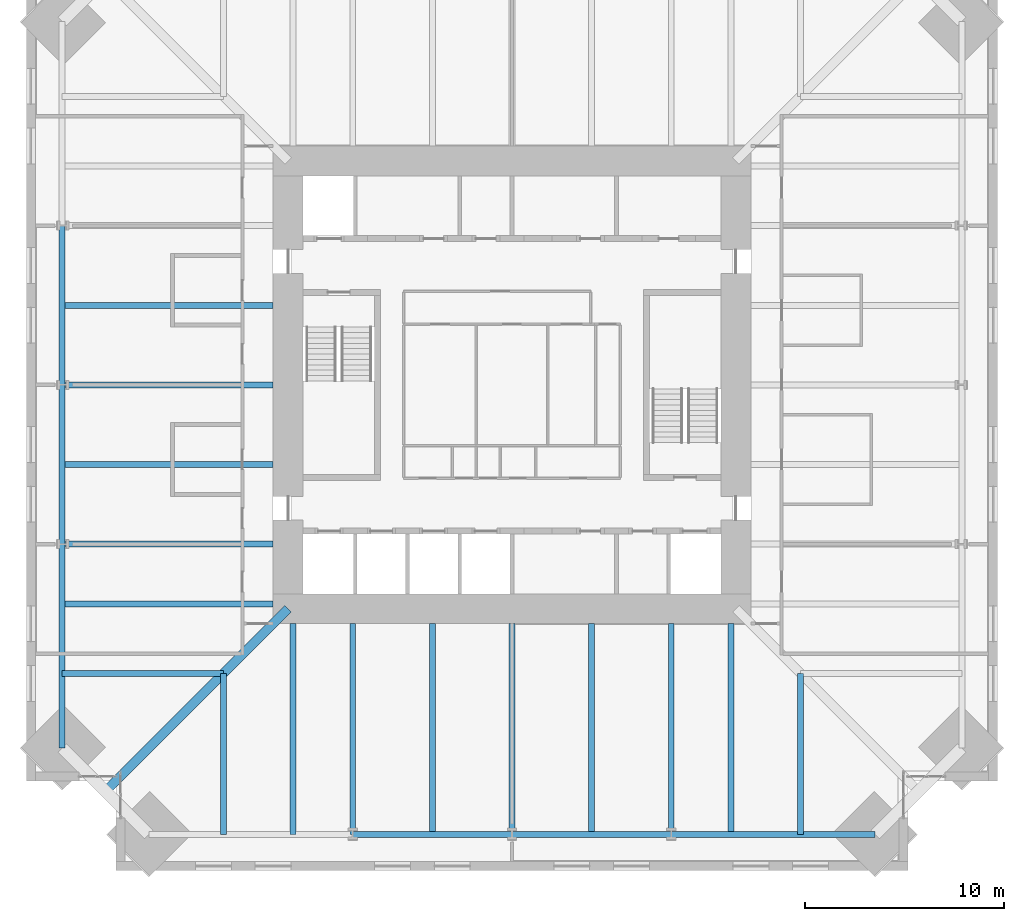
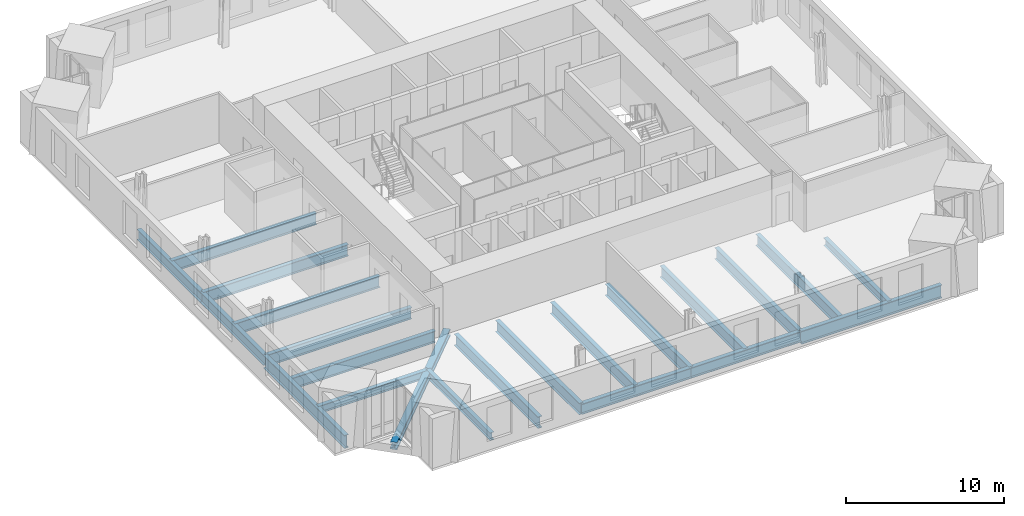
# One storey, part 3 of 15: 22 beams.
"""IFC4 building model written with IfcOpenShell, lengths in metres."""

from ifc_helpers import new_model, si_unit, direction, frame, origin, origin_2d, place, context, subcontext, project, spatial, i_section, extrude, material, material_profile, profile_set, type_object, element, save


model = new_model("IFC4")

# Units and contexts
model_context = context("Model", 3, precision=1e-05, world=origin(), true_north=direction((0.0, 1.0)))
body_context = subcontext(model_context, "Body", "Model", "MODEL_VIEW")
ifc_project = project(units=[si_unit("LENGTHUNIT", "METRE"), si_unit("AREAUNIT", "SQUARE_METRE"), si_unit("VOLUMEUNIT", "CUBIC_METRE"), si_unit("PLANEANGLEUNIT", "RADIAN"), si_unit("MASSUNIT", "GRAM", prefix="KILO")], contexts=[model_context])

# Site, building, storey
site_placement = place(None, origin())
site = spatial("IfcSite", under=ifc_project, at=site_placement, CompositionType="ELEMENT")
building_placement = place(site_placement, origin())
building = spatial("IfcBuilding", under=site, at=building_placement, Name="Peilmerk Tower", CompositionType="ELEMENT")
storey_placement = place(building_placement, frame((0.0, 0.0, 205.800048828125)))
storey = spatial("IfcBuildingStorey", under=building, at=storey_placement, Name="L44", CompositionType="ELEMENT", Elevation=205.800048828125)

# Beams
ifc_material_1 = material(Name="Steel S355", Category="steel")
ifc_material_profile_1 = material_profile(ifc_material_1, i_section(OverallWidth=0.302001953125, OverallDepth=1.008056640625, WebThickness=0.02099609375, FlangeThickness=0.0400390625, at=origin_2d()), Name="HEM 1000")
ifc_profile_set_1 = profile_set([ifc_material_profile_1], Name="Steel S355")
beam_type_1 = type_object("IfcBeamType", Name="B1 HEM 1000 edge beam", PredefinedType="SPANDREL", material=ifc_profile_set_1)
for number, where, z_axis, x_axis, name in (
    (1, (8.0, -22.598388671875, -0.674072265625), (1.0, 0.0, 0.0), (0.0, 1.0, 0.0), "Edge beam L44"),
    (2, (-22.598388671875, -8.0, -0.674072265625), (0.0, -1.0, 0.0), (1.0, 0.0, 0.0), "Edge beam L44"),
):
    element("IfcBeam", number, at=place(storey_placement, frame(where, z_axis=z_axis, x_axis=x_axis)), inside=storey, type_object=beam_type_1, Name=name, PredefinedType="SPANDREL", context=body_context, shape_type="SweptSolid", body=[
        extrude(i_section(OverallWidth=0.302001953125, OverallDepth=1.008056640625, WebThickness=0.02099609375, FlangeThickness=0.0400390625, at=origin_2d()), origin(), (0.0, 0.0, 1.0), 10.248291015625),
    ])
ifc_material_profile_2 = material_profile(ifc_material_1, i_section(OverallWidth=0.302978515625, OverallDepth=0.81396484375, WebThickness=0.02099609375, FlangeThickness=0.0400390625, at=origin_2d()), Name="HEM 800")
ifc_profile_set_2 = profile_set([ifc_material_profile_2], Name="Steel S355")
beam_type_2 = type_object("IfcBeamType", Name="B15 HEM 800 edge beam", PredefinedType="SPANDREL", material=ifc_profile_set_2)
for number, where, z_axis, x_axis, name in (
    (3, (-8.0, -22.598388671875, -0.5771484375), (1.0, 0.0, 0.0), (0.0, 1.0, 0.0), "Edge beam L44"),
    (4, (0.0, -22.598388671875, -0.5771484375), (1.0, 0.0, 0.0), (0.0, 1.0, 0.0), "Edge beam L44"),
    (5, (-22.598388671875, 8.0, -0.5771484375), (0.0, -1.0, 0.0), (1.0, 0.0, 0.0), "Edge beam L44"),
    (6, (-22.598388671875, 0.0, -0.5771484375), (0.0, -1.0, 0.0), (1.0, 0.0, 0.0), "Edge beam L44"),
):
    element("IfcBeam", number, at=place(storey_placement, frame(where, z_axis=z_axis, x_axis=x_axis)), inside=storey, type_object=beam_type_2, Name=name, PredefinedType="SPANDREL", context=body_context, shape_type="SweptSolid", body=[
        extrude(i_section(OverallWidth=0.302978515625, OverallDepth=0.81396484375, WebThickness=0.02099609375, FlangeThickness=0.0400390625, at=origin_2d()), origin(), (0.0, 0.0, 1.0), 8.0),
    ])
ifc_material_profile_3 = material_profile(ifc_material_1, i_section(OverallWidth=0.300048828125, OverallDepth=0.590087890625, WebThickness=0.012939453125, FlangeThickness=0.02490234375, at=origin_2d()), Name="HEA 600")
ifc_profile_set_3 = profile_set([ifc_material_profile_3], Name="Steel S355")
beam_type_3 = type_object("IfcBeamType", Name="B27 HEA 600 floor beam", PredefinedType="BEAM", material=ifc_profile_set_3)
for number, where, z_axis, x_axis, name in (
    (7, (14.5, -14.5, -0.465087890625), (0.0, -1.0, 0.0), (1.0, 0.0, 0.0), "Floor beam L44"),
    (8, (-14.5, -14.5, -0.465087890625), (0.0, -1.0, 0.0), (1.0, 0.0, 0.0), "Floor beam L44"),
    (9, (-14.5, -14.5, -0.465087890625), (-1.0, 0.0, 0.0), (0.0, -1.0, 0.0), "Floor beam L44"),
):
    element("IfcBeam", number, at=place(storey_placement, frame(where, z_axis=z_axis, x_axis=x_axis)), inside=storey, type_object=beam_type_3, Name=name, PredefinedType="BEAM", context=body_context, shape_type="SweptSolid", body=[
        extrude(i_section(OverallWidth=0.300048828125, OverallDepth=0.590087890625, WebThickness=0.012939453125, FlangeThickness=0.02490234375, at=origin_2d()), origin(), (0.0, 0.0, 1.0), 8.098388671875),
    ])
ifc_material_profile_4 = material_profile(ifc_material_1, i_section(OverallWidth=0.300048828125, OverallDepth=0.889892578125, WebThickness=0.01611328125, FlangeThickness=0.030029296875, at=origin_2d()), Name="HEA 900")
ifc_profile_set_4 = profile_set([ifc_material_profile_4], Name="Steel S355")
beam_type_4 = type_object("IfcBeamType", Name="B4 HEA 900 floor beam", PredefinedType="BEAM", material=ifc_profile_set_4)
for number, where, z_axis, x_axis, name in (
    (10, (-11.0, -12.0, -0.614990234375), (0.0, -1.0, 0.0), (1.0, 0.0, 0.0), "Floor beam L44"),
    (11, (-8.0, -12.0, -0.614990234375), (0.0, -1.0, 0.0), (1.0, 0.0, 0.0), "Floor beam L44"),
    (12, (-4.0, -12.0, -0.614990234375), (0.0, -1.0, 0.0), (1.0, 0.0, 0.0), "Floor beam L44"),
    (13, (0.0, -12.0, -0.614990234375), (0.0, -1.0, 0.0), (1.0, 0.0, 0.0), "Floor beam L44"),
    (14, (4.0, -12.0, -0.614990234375), (0.0, -1.0, 0.0), (1.0, 0.0, 0.0), "Floor beam L44"),
    (15, (8.0, -12.0, -0.614990234375), (0.0, -1.0, 0.0), (1.0, 0.0, 0.0), "Floor beam L44"),
    (16, (11.0, -12.0, -0.614990234375), (0.0, -1.0, 0.0), (1.0, 0.0, 0.0), "Floor beam L44"),
    (17, (-12.0, 4.0, -0.614990234375), (-1.0, 0.0, 0.0), (0.0, -1.0, 0.0), "Floor beam L44"),
    (18, (-12.0, 0.0, -0.614990234375), (-1.0, 0.0, 0.0), (0.0, -1.0, 0.0), "Floor beam L44"),
    (19, (-12.0, -4.0, -0.614990234375), (-1.0, 0.0, 0.0), (0.0, -1.0, 0.0), "Floor beam L44"),
    (20, (-12.0, -8.0, -0.614990234375), (-1.0, 0.0, 0.0), (0.0, -1.0, 0.0), "Floor beam L44"),
    (21, (-12.0, -11.0, -0.614990234375), (-1.0, 0.0, 0.0), (0.0, -1.0, 0.0), "Floor beam L44"),
):
    element("IfcBeam", number, at=place(storey_placement, frame(where, z_axis=z_axis, x_axis=x_axis)), inside=storey, type_object=beam_type_4, Name=name, PredefinedType="BEAM", context=body_context, shape_type="SweptSolid", body=[
        extrude(i_section(OverallWidth=0.300048828125, OverallDepth=0.889892578125, WebThickness=0.01611328125, FlangeThickness=0.030029296875, at=origin_2d()), origin(), (0.0, 0.0, 1.0), 10.598388671875),
    ])
ifc_material_2 = material(Name="Steel S460", Category="steel")
ifc_material_profile_5 = material_profile(ifc_material_2, i_section(OverallWidth=0.4541015625, OverallDepth=0.569091796875, WebThickness=0.077880859375, FlangeThickness=0.125, at=origin_2d()), Name="HD 400x1086")
ifc_profile_set_5 = profile_set([ifc_material_profile_5], Name="Steel S460")
beam_type_5 = type_object("IfcBeamType", Name="B9 HD 400x1086 corner girder", PredefinedType="BEAM", material=ifc_profile_set_5)
beam_placement = place(storey_placement, frame((-11.25, -11.25, -0.45458984375), z_axis=(-0.707106781187, -0.707106781187, 0.0), x_axis=(0.707106781187, -0.707106781187, 0.0)))
element("IfcBeam", 22, at=beam_placement, inside=storey, type_object=beam_type_5, Name="Corner girder L44", PredefinedType="BEAM", context=body_context, shape_type="SweptSolid", body=[
    extrude(i_section(OverallWidth=0.4541015625, OverallDepth=0.569091796875, WebThickness=0.077880859375, FlangeThickness=0.125, at=origin_2d()), origin(), (0.0, 0.0, 1.0), 12.97314453125),
])

save(model, "model.ifc")
